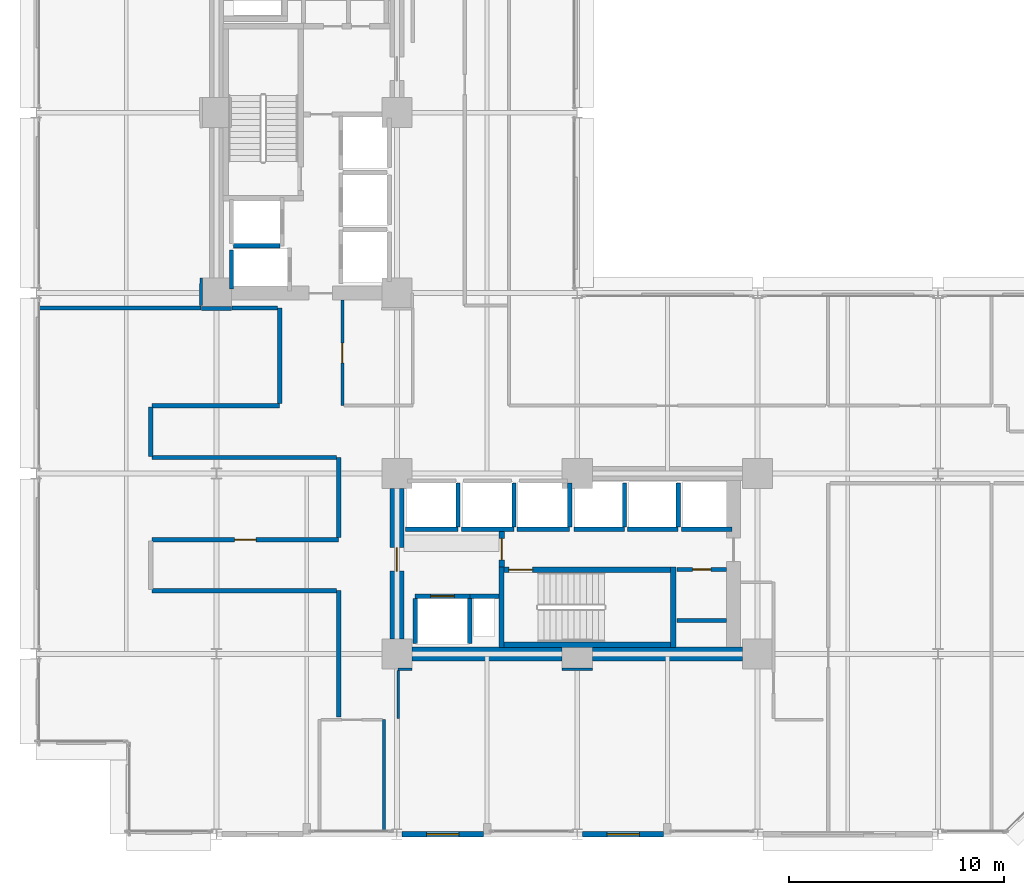
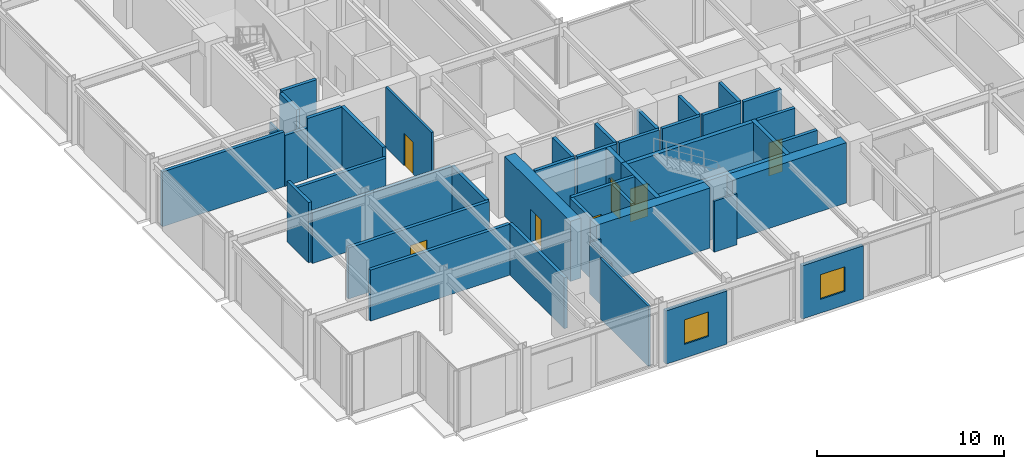
# One storey, part 22 of 27: 46 walls, 7 doors, 2 windows, 9 openings.
"""IFC4 building model written with IfcOpenShell, lengths in metres."""

from ifc_helpers import new_model, si_unit, direction, frame, frame_2d, origin, place, context, subcontext, project, spatial, rectangle, extrude, material, layer, layer_set, type_object, element, fill, save


model = new_model("IFC4")

# Units and contexts
model_context = context("Model", 3, precision=1e-05, world=origin(), true_north=direction((0.0, 1.0)))
body_context = subcontext(model_context, "Body", "Model", "MODEL_VIEW")
ifc_project = project(units=[si_unit("LENGTHUNIT", "METRE"), si_unit("AREAUNIT", "SQUARE_METRE"), si_unit("VOLUMEUNIT", "CUBIC_METRE"), si_unit("PLANEANGLEUNIT", "RADIAN"), si_unit("MASSUNIT", "GRAM", prefix="KILO")], contexts=[model_context])

# Site, building, storey
site_placement = place(None, origin())
site = spatial("IfcSite", under=ifc_project, at=site_placement, CompositionType="ELEMENT")
building_placement = place(site_placement, origin())
building = spatial("IfcBuilding", under=site, at=building_placement, Name="Nerrivon Quay Data Exchange", CompositionType="ELEMENT")
storey_placement = place(building_placement, frame((0.0, 0.0, 66.800048828125)))
storey = spatial("IfcBuildingStorey", under=building, at=storey_placement, Name="L15", CompositionType="ELEMENT", Elevation=66.800048828125)

# Wall, opening, window
ifc_material_1 = material(Name="Architectural terracotta precast concrete N50 (50 MPa)", Category="masonry")
ifc_layer_1 = layer(ifc_material_1, 0.239990234375)
ifc_layer_set_1 = layer_set([ifc_layer_1], Name="Architectural terracotta precast concrete N50 (50 MPa)")
wall_type_1 = type_object("IfcWallType", Name="EW-PREC-240", PredefinedType="STANDARD", material=ifc_layer_set_1)
wall_1_placement = place(storey_placement, frame((29.22509765625, 0.0, 0.0), z_axis=(0.0, 0.0, 1.0), x_axis=(-1.0, 0.0, 0.0)))
wall_1 = element("IfcWall", 1, at=wall_1_placement, inside=storey, type_object=wall_type_1, Name="L15 Podium Precast Spandrel Wall 9", PredefinedType="STANDARD", context=body_context, shape_type="SweptSolid", body=[
    extrude(rectangle(XDim=3.775146484375, YDim=0.239990234375, at=frame_2d((1.8876953125, 0.0))), origin(), (0.0, 0.0, 1.0), 3.470947265625),
])
opening_1_placement = place(wall_1_placement, frame((1.137451171875, 0.0, 0.89990234375)))
opening_1 = element("IfcOpeningElement", 2, at=opening_1_placement, cuts=wall_1, Name="Opening WN4", PredefinedType="OPENING", context=body_context, shape_type="SweptSolid", body=[
    extrude(rectangle(XDim=1.5, YDim=1.60009765625, at=frame_2d((0.75, 0.800048828125))), frame((0.0, 0.1298828125, 0.0), z_axis=(0.0, -1.0, 0.0), x_axis=(1.0, 0.0, 0.0)), (0.0, 0.0, 1.0), 0.260009765625),
])
ifc_material_2 = material(Name="Double-glazed low-E solar control glass", Category="glass")
window_type = type_object("IfcWindowType", Name="WIN-W4-1500x1600", PartitioningType="SINGLE_PANEL", PredefinedType="WINDOW", material=ifc_material_2)
window_1_placement = place(opening_1_placement, origin())
window_1 = element("IfcWindow", 3, at=window_1_placement, inside=storey, type_object=window_type, Name="L15 Solar Facade Window 9", OverallHeight=1.60009765625, OverallWidth=1.5, PartitioningType="SINGLE_PANEL", PredefinedType="WINDOW", context=body_context, shape_type="SweptSolid", body=[
    extrude(rectangle(XDim=1.5, YDim=1.60009765625, at=frame_2d((0.75, 0.800048828125))), frame((0.0, 0.030029296875, 0.0), z_axis=(0.0, -1.0, 0.0), x_axis=(1.0, 0.0, 0.0)), (0.0, 0.0, 1.0), 0.06005859375),
])
fill(opening_1, window_1)

wall_2_placement = place(storey_placement, frame((20.824951171875, 0.0, 0.0), z_axis=(0.0, 0.0, 1.0), x_axis=(-1.0, 0.0, 0.0)))
wall_2 = element("IfcWall", 4, at=wall_2_placement, inside=storey, type_object=wall_type_1, Name="L15 Podium Precast Spandrel Wall 11", PredefinedType="STANDARD", context=body_context, shape_type="SweptSolid", body=[
    extrude(rectangle(XDim=3.77490234375, YDim=0.239990234375, at=frame_2d((1.887451171875, 0.0))), origin(), (0.0, 0.0, 1.0), 3.470947265625),
])
opening_2_placement = place(wall_2_placement, frame((1.137451171875, 0.0, 0.89990234375)))
opening_2 = element("IfcOpeningElement", 5, at=opening_2_placement, cuts=wall_2, Name="Opening WN4", PredefinedType="OPENING", context=body_context, shape_type="SweptSolid", body=[
    extrude(rectangle(XDim=1.5, YDim=1.60009765625, at=frame_2d((0.75, 0.800048828125))), frame((0.0, 0.1298828125, 0.0), z_axis=(0.0, -1.0, 0.0), x_axis=(1.0, 0.0, 0.0)), (0.0, 0.0, 1.0), 0.260009765625),
])
window_2_placement = place(opening_2_placement, origin())
window_2 = element("IfcWindow", 6, at=window_2_placement, inside=storey, type_object=window_type, Name="L15 Solar Facade Window 11", OverallHeight=1.60009765625, OverallWidth=1.5, PartitioningType="SINGLE_PANEL", PredefinedType="WINDOW", context=body_context, shape_type="SweptSolid", body=[
    extrude(rectangle(XDim=1.5, YDim=1.60009765625, at=frame_2d((0.75, 0.800048828125))), frame((0.0, 0.030029296875, 0.0), z_axis=(0.0, -1.0, 0.0), x_axis=(1.0, 0.0, 0.0)), (0.0, 0.0, 1.0), 0.06005859375),
])
fill(opening_2, window_2)

# Walls
ifc_material_3 = material(Name="Concrete N80 (80 MPa)", Category="concrete")
ifc_layer_2 = layer(ifc_material_3, 0.64990234375)
ifc_layer_set_2 = layer_set([ifc_layer_2], Name="Concrete N80 (80 MPa)")
wall_type_2 = type_object("IfcWallType", Name="WALL-CW-850", PredefinedType="SHEAR", material=ifc_layer_set_2)
for number, where, z_axis, x_axis, name in (
    (7, (17.5, 8.39990234375, 0.0), (0.0, 0.0, 1.0), (1.0, 0.0, 0.0), "L15 East Split-Core Shear Wall ECW-S1"),
    (8, (25.89990234375, 8.39990234375, 0.0), (0.0, 0.0, 1.0), (1.0, 0.0, 0.0), "L15 East Split-Core Shear Wall ECW-S2"),
):
    element("IfcWall", number, at=place(storey_placement, frame(where, z_axis=z_axis, x_axis=x_axis)), inside=storey, type_object=wall_type_2, Name=name, PredefinedType="SHEAR", context=body_context, shape_type="SweptSolid", body=[
        extrude(rectangle(XDim=7.0, YDim=0.64990234375, at=frame_2d((3.5, 0.0))), origin(), (0.0, 0.0, 1.0), 3.925048828125),
    ])

# Wall, opening, door
wall_3_placement = place(storey_placement, frame((16.800048828125, 9.10009765625, 0.0), z_axis=(0.0, 0.0, 1.0), x_axis=(0.0, 1.0, 0.0)))
wall_3 = element("IfcWall", 9, at=wall_3_placement, inside=storey, type_object=wall_type_2, Name="L15 East Split-Core Shear Wall ECW-W1", PredefinedType="SHEAR", context=body_context, shape_type="SweptSolid", body=[
    extrude(rectangle(XDim=7.0, YDim=0.64990234375, at=frame_2d((3.5, 0.0))), origin(), (0.0, 0.0, 1.0), 3.925048828125),
])
opening_3_placement = place(wall_3_placement, frame((3.14990234375, 0.0, 0.0)))
opening_3 = element("IfcOpeningElement", 10, at=opening_3_placement, cuts=wall_3, Name="Opening FD-120", PredefinedType="OPENING", context=body_context, shape_type="SweptSolid", body=[
    extrude(rectangle(XDim=1.10009765625, YDim=2.14990234375, at=frame_2d((0.550048828125, 1.074951171875))), frame((0.0, 0.3349609375, 0.0), z_axis=(0.0, -1.0, 0.0), x_axis=(1.0, 0.0, 0.0)), (0.0, 0.0, 1.0), 0.669921875),
])
ifc_material_4 = material(Name="Powder-coated galvanized steel sheet", Category="steel")
door_type_1 = type_object("IfcDoorType", Name="DR-FD120-1100", OperationType="NOTDEFINED", PredefinedType="DOOR", material=ifc_material_4)
door_1_placement = place(opening_3_placement, origin())
door_1 = element("IfcDoor", 11, at=door_1_placement, inside=storey, type_object=door_type_1, Name="L15 East Core Lobby Fire Door", OperationType="SINGLE_SWING_LEFT", OverallHeight=2.14990234375, OverallWidth=1.10009765625, PredefinedType="DOOR", context=body_context, shape_type="SweptSolid", body=[
    extrude(rectangle(XDim=1.10009765625, YDim=2.14990234375, at=frame_2d((0.550048828125, 1.074951171875))), frame((0.0, 0.02490234375, 0.0), z_axis=(0.0, -1.0, 0.0), x_axis=(1.0, 0.0, 0.0)), (0.0, 0.0, 1.0), 0.050048828125),
])
fill(opening_3, door_1)

# Walls
ifc_material_5 = material(Name="Gypsum plasterboard on cold-formed framing", Category="gypsum")
ifc_layer_3 = layer(ifc_material_5, 0.199951171875)
ifc_layer_set_3 = layer_set([ifc_layer_3], Name="Gypsum plasterboard on cold-formed framing")
wall_type_3 = type_object("IfcWallType", Name="WALL-FW-200", PredefinedType="PARTITIONING", material=ifc_layer_set_3)
wall_4_placement = place(storey_placement, frame((20.199951171875, 11.080078125, 0.0), z_axis=(0.0, 0.0, 1.0), x_axis=(1.0, 0.0, 0.0)))
element("IfcWall", 12, at=wall_4_placement, inside=storey, type_object=wall_type_3, Name="L15 East Core MEP Riser Shaft Wall N", PredefinedType="PARTITIONING", context=body_context, shape_type="SweptSolid", body=[
    extrude(rectangle(XDim=1.35009765625, YDim=0.199951171875, at=frame_2d((0.675048828125, 0.0))), origin(), (0.0, 0.0, 1.0), 3.925048828125),
])
wall_5_placement = place(storey_placement, frame((9.199951171875, 27.39990234375, 0.0), z_axis=(0.0, 0.0, 1.0), x_axis=(1.0, 0.0, 0.0)))
element("IfcWall", 13, at=wall_5_placement, inside=storey, type_object=wall_type_3, Name="L15 Lift Shaft Wall FFL-1 SOUTH", PredefinedType="PARTITIONING", context=body_context, shape_type="SweptSolid", body=[
    extrude(rectangle(XDim=2.150146484375, YDim=0.199951171875, at=frame_2d((1.0751953125, 0.0))), origin(), (0.0, 0.0, 1.0), 3.925048828125),
])
wall_6_placement = place(storey_placement, frame((9.10009765625, 25.39990234375, 0.0), z_axis=(0.0, 0.0, 1.0), x_axis=(0.0, 1.0, 0.0)))
element("IfcWall", 14, at=wall_6_placement, inside=storey, type_object=wall_type_3, Name="L15 Lift Shaft Wall SVL-1 WEST", PredefinedType="PARTITIONING", context=body_context, shape_type="SweptSolid", body=[
    extrude(rectangle(XDim=1.800048828125, YDim=0.199951171875, at=frame_2d((0.89990234375, 0.0))), origin(), (0.0, 0.0, 1.0), 3.925048828125),
])

# Wall, opening, door
wall_7_placement = place(storey_placement, frame((17.64990234375, 11.080078125, 0.0), z_axis=(0.0, 0.0, 1.0), x_axis=(1.0, 0.0, 0.0)))
wall_7 = element("IfcWall", 15, at=wall_7_placement, inside=storey, type_object=wall_type_3, Name="L15 Lift Front Wall FFL-2", PredefinedType="PARTITIONING", context=body_context, shape_type="SweptSolid", body=[
    extrude(rectangle(XDim=2.550048828125, YDim=0.199951171875, at=frame_2d((1.27490234375, 0.0))), origin(), (0.0, 0.0, 1.0), 3.925048828125),
])
opening_4_placement = place(wall_7_placement, frame((0.72509765625, 0.0, 0.0)))
opening_4 = element("IfcOpeningElement", 16, at=opening_4_placement, cuts=wall_7, Name="Opening LD-120", PredefinedType="OPENING", context=body_context, shape_type="SweptSolid", body=[
    extrude(rectangle(XDim=1.10009765625, YDim=2.199951171875, at=frame_2d((0.550048828125, 1.10009765625))), frame((0.0, 0.10986328125, 0.0), z_axis=(0.0, -1.0, 0.0), x_axis=(1.0, 0.0, 0.0)), (0.0, 0.0, 1.0), 0.219970703125),
])
door_type_2 = type_object("IfcDoorType", Name="DR-LIFT-LD120", OperationType="DOUBLE_DOOR_SLIDING", PredefinedType="DOOR", material=ifc_material_4)
door_2_placement = place(opening_4_placement, origin())
door_2 = element("IfcDoor", 17, at=door_2_placement, inside=storey, type_object=door_type_2, Name="L15 Lift Landing Sliding Door FFL-2", OperationType="DOUBLE_DOOR_SLIDING", OverallHeight=2.199951171875, OverallWidth=1.10009765625, PredefinedType="DOOR", context=body_context, shape_type="SweptSolid", body=[
    extrude(rectangle(XDim=1.10009765625, YDim=2.199951171875, at=frame_2d((0.550048828125, 1.10009765625))), frame((0.0, 0.02490234375, 0.0), z_axis=(0.0, -1.0, 0.0), x_axis=(1.0, 0.0, 0.0)), (0.0, 0.0, 1.0), 0.050048828125),
])
fill(opening_4, door_2)

# Walls
for number, where, z_axis, x_axis, name in (
    (18, (20.199951171875, 8.8798828125, 0.0), (0.0, 0.0, 1.0), (0.0, 1.0, 0.0), "L15 Lift Shaft Wall FFL-2 EAST"),
    (19, (17.64990234375, 8.8798828125, 0.0), (0.0, 0.0, 1.0), (0.0, 1.0, 0.0), "L15 Lift Shaft Wall FFL-2 WEST"),
):
    element("IfcWall", number, at=place(storey_placement, frame(where, z_axis=z_axis, x_axis=x_axis)), inside=storey, type_object=wall_type_3, Name=name, PredefinedType="PARTITIONING", context=body_context, shape_type="SweptSolid", body=[
        extrude(rectangle(XDim=2.10009765625, YDim=0.199951171875, at=frame_2d((1.050048828125, 0.0))), origin(), (0.0, 0.0, 1.0), 3.925048828125),
    ])
wall_8_placement = place(storey_placement, frame((17.199951171875, 14.199951171875, 0.0), z_axis=(0.0, 0.0, 1.0), x_axis=(1.0, 0.0, 0.0)))
element("IfcWall", 20, at=wall_8_placement, inside=storey, type_object=wall_type_3, Name="L15 Lift Front Wall PL4", PredefinedType="PARTITIONING", context=body_context, shape_type="SweptSolid", body=[
    extrude(rectangle(XDim=2.449951171875, YDim=0.199951171875, at=frame_2d((1.22509765625, 0.0))), origin(), (0.0, 0.0, 1.0), 3.925048828125),
])
wall_9_placement = place(storey_placement, frame((19.64990234375, 14.300048828125, 0.0), z_axis=(0.0, 0.0, 1.0), x_axis=(0.0, 1.0, 0.0)))
element("IfcWall", 21, at=wall_9_placement, inside=storey, type_object=wall_type_3, Name="L15 Lift Shaft Wall PL4 EAST", PredefinedType="PARTITIONING", context=body_context, shape_type="SweptSolid", body=[
    extrude(rectangle(XDim=2.050048828125, YDim=0.199951171875, at=frame_2d((1.02490234375, 0.0))), origin(), (0.0, 0.0, 1.0), 3.925048828125),
])
wall_10_placement = place(storey_placement, frame((19.800048828125, 14.199951171875, 0.0), z_axis=(0.0, 0.0, 1.0), x_axis=(1.0, 0.0, 0.0)))
element("IfcWall", 22, at=wall_10_placement, inside=storey, type_object=wall_type_3, Name="L15 Lift Front Wall PL5", PredefinedType="PARTITIONING", context=body_context, shape_type="SweptSolid", body=[
    extrude(rectangle(XDim=2.449951171875, YDim=0.199951171875, at=frame_2d((1.22509765625, 0.0))), origin(), (0.0, 0.0, 1.0), 3.925048828125),
])
wall_11_placement = place(storey_placement, frame((22.25, 14.300048828125, 0.0), z_axis=(0.0, 0.0, 1.0), x_axis=(0.0, 1.0, 0.0)))
element("IfcWall", 23, at=wall_11_placement, inside=storey, type_object=wall_type_3, Name="L15 Lift Shaft Wall PL5 EAST", PredefinedType="PARTITIONING", context=body_context, shape_type="SweptSolid", body=[
    extrude(rectangle(XDim=2.050048828125, YDim=0.199951171875, at=frame_2d((1.02490234375, 0.0))), origin(), (0.0, 0.0, 1.0), 3.925048828125),
])
wall_12_placement = place(storey_placement, frame((22.39990234375, 14.199951171875, 0.0), z_axis=(0.0, 0.0, 1.0), x_axis=(1.0, 0.0, 0.0)))
element("IfcWall", 24, at=wall_12_placement, inside=storey, type_object=wall_type_3, Name="L15 Lift Front Wall PL6", PredefinedType="PARTITIONING", context=body_context, shape_type="SweptSolid", body=[
    extrude(rectangle(XDim=2.4501953125, YDim=0.199951171875, at=frame_2d((1.22509765625, 0.0))), origin(), (0.0, 0.0, 1.0), 3.925048828125),
])
wall_13_placement = place(storey_placement, frame((24.85009765625, 14.300048828125, 0.0), z_axis=(0.0, 0.0, 1.0), x_axis=(0.0, 1.0, 0.0)))
element("IfcWall", 25, at=wall_13_placement, inside=storey, type_object=wall_type_3, Name="L15 Lift Shaft Wall PL6 EAST", PredefinedType="PARTITIONING", context=body_context, shape_type="SweptSolid", body=[
    extrude(rectangle(XDim=2.050048828125, YDim=0.199951171875, at=frame_2d((1.02490234375, 0.0))), origin(), (0.0, 0.0, 1.0), 3.925048828125),
])
wall_14_placement = place(storey_placement, frame((25.050048828125, 14.199951171875, 0.0), z_axis=(0.0, 0.0, 1.0), x_axis=(1.0, 0.0, 0.0)))
element("IfcWall", 26, at=wall_14_placement, inside=storey, type_object=wall_type_3, Name="L15 Lift Front Wall PL7", PredefinedType="PARTITIONING", context=body_context, shape_type="SweptSolid", body=[
    extrude(rectangle(XDim=2.349853515625, YDim=0.199951171875, at=frame_2d((1.1748046875, 0.0))), origin(), (0.0, 0.0, 1.0), 3.925048828125),
])
wall_15_placement = place(storey_placement, frame((27.39990234375, 14.300048828125, 0.0), z_axis=(0.0, 0.0, 1.0), x_axis=(0.0, 1.0, 0.0)))
element("IfcWall", 27, at=wall_15_placement, inside=storey, type_object=wall_type_3, Name="L15 Lift Shaft Wall PL7 EAST", PredefinedType="PARTITIONING", context=body_context, shape_type="SweptSolid", body=[
    extrude(rectangle(XDim=2.050048828125, YDim=0.199951171875, at=frame_2d((1.02490234375, 0.0))), origin(), (0.0, 0.0, 1.0), 3.925048828125),
])
wall_16_placement = place(storey_placement, frame((27.550048828125, 14.199951171875, 0.0), z_axis=(0.0, 0.0, 1.0), x_axis=(1.0, 0.0, 0.0)))
element("IfcWall", 28, at=wall_16_placement, inside=storey, type_object=wall_type_3, Name="L15 Lift Front Wall PL8", PredefinedType="PARTITIONING", context=body_context, shape_type="SweptSolid", body=[
    extrude(rectangle(XDim=2.349853515625, YDim=0.199951171875, at=frame_2d((1.1748046875, 0.0))), origin(), (0.0, 0.0, 1.0), 3.925048828125),
])
wall_17_placement = place(storey_placement, frame((29.89990234375, 14.300048828125, 0.0), z_axis=(0.0, 0.0, 1.0), x_axis=(0.0, 1.0, 0.0)))
element("IfcWall", 29, at=wall_17_placement, inside=storey, type_object=wall_type_3, Name="L15 Lift Shaft Wall PL8 EAST", PredefinedType="PARTITIONING", context=body_context, shape_type="SweptSolid", body=[
    extrude(rectangle(XDim=2.050048828125, YDim=0.199951171875, at=frame_2d((1.02490234375, 0.0))), origin(), (0.0, 0.0, 1.0), 3.925048828125),
])
wall_18_placement = place(storey_placement, frame((30.050048828125, 14.199951171875, 0.0), z_axis=(0.0, 0.0, 1.0), x_axis=(1.0, 0.0, 0.0)))
element("IfcWall", 30, at=wall_18_placement, inside=storey, type_object=wall_type_3, Name="L15 Lift Front Wall PL9", PredefinedType="PARTITIONING", context=body_context, shape_type="SweptSolid", body=[
    extrude(rectangle(XDim=2.349853515625, YDim=0.199951171875, at=frame_2d((1.1748046875, 0.0))), origin(), (0.0, 0.0, 1.0), 3.925048828125),
])

# Wall, opening, door
wall_19_placement = place(storey_placement, frame((32.14599609375, 12.330078125, 0.0), z_axis=(0.0, 0.0, 1.0), x_axis=(-1.0, 0.0, 0.0)))
wall_19 = element("IfcWall", 31, at=wall_19_placement, inside=storey, type_object=wall_type_3, Name="L15 Partition East Supply Store", PredefinedType="PARTITIONING", context=body_context, shape_type="SweptSolid", body=[
    extrude(rectangle(XDim=2.2958984375, YDim=0.199951171875, at=frame_2d((1.14794921875, 0.0))), origin(), (0.0, 0.0, 1.0), 3.925048828125),
])
opening_5_placement = place(wall_19_placement, frame((0.722900390625, 0.0, 0.0)))
opening_5 = element("IfcOpeningElement", 32, at=opening_5_placement, cuts=wall_19, Name="Opening FD-60S", PredefinedType="OPENING", context=body_context, shape_type="SweptSolid", body=[
    extrude(rectangle(XDim=0.85009765625, YDim=2.14990234375, at=frame_2d((0.425048828125, 1.074951171875))), frame((0.0, 0.10986328125, 0.0), z_axis=(0.0, -1.0, 0.0), x_axis=(1.0, 0.0, 0.0)), (0.0, 0.0, 1.0), 0.219970703125),
])
ifc_material_6 = material(Name="Engineered hardwood timber", Category="wood")
door_type_3 = type_object("IfcDoorType", Name="DR-FD60-850", OperationType="NOTDEFINED", PredefinedType="DOOR", material=ifc_material_6)
door_3_placement = place(opening_5_placement, origin())
door_3 = element("IfcDoor", 33, at=door_3_placement, inside=storey, type_object=door_type_3, Name="L15 Door East Supply Store", OperationType="SINGLE_SWING_RIGHT", OverallHeight=2.14990234375, OverallWidth=0.85009765625, PredefinedType="DOOR", context=body_context, shape_type="SweptSolid", body=[
    extrude(rectangle(XDim=0.85009765625, YDim=2.14990234375, at=frame_2d((0.425048828125, 1.074951171875))), frame((0.0, 0.02490234375, 0.0), z_axis=(0.0, -1.0, 0.0), x_axis=(1.0, 0.0, 0.0)), (0.0, 0.0, 1.0), 0.050048828125),
])
fill(opening_5, door_3)

# Walls
wall_20_placement = place(storey_placement, frame((29.85009765625, 9.949951171875, 0.0), z_axis=(0.0, 0.0, 1.0), x_axis=(1.0, 0.0, 0.0)))
element("IfcWall", 34, at=wall_20_placement, inside=storey, type_object=wall_type_3, Name="L15 Partition East Supply Store", PredefinedType="PARTITIONING", context=body_context, shape_type="SweptSolid", body=[
    extrude(rectangle(XDim=2.2958984375, YDim=0.199951171875, at=frame_2d((1.14794921875, 0.0))), origin(), (0.0, 0.0, 1.0), 3.925048828125),
])
wall_21_placement = place(storey_placement, frame((5.39990234375, 19.9599609375, 0.0), z_axis=(0.0, 0.0, 1.0), x_axis=(1.0, 0.0, 0.0)))
element("IfcWall", 35, at=wall_21_placement, inside=storey, type_object=wall_type_3, Name="L15 Partition Colocation Data Workspace 1", PredefinedType="PARTITIONING", context=body_context, shape_type="SweptSolid", body=[
    extrude(rectangle(XDim=5.940185546875, YDim=0.199951171875, at=frame_2d((2.97021484375, 0.0))), origin(), (0.0, 0.0, 1.0), 3.322998046875),
])
wall_22_placement = place(storey_placement, frame((11.340087890625, 20.06396484375, 0.0), z_axis=(0.0, 0.0, 1.0), x_axis=(0.0, 1.0, 0.0)))
element("IfcWall", 36, at=wall_22_placement, inside=storey, type_object=wall_type_3, Name="L15 Partition Colocation Data Workspace 1", PredefinedType="PARTITIONING", context=body_context, shape_type="SweptSolid", body=[
    extrude(rectangle(XDim=4.43994140625, YDim=0.199951171875, at=frame_2d((2.219970703125, 0.0))), origin(), (0.0, 0.0, 1.0), 3.925048828125),
])
wall_23_placement = place(storey_placement, frame((11.236083984375, 24.50390625, 0.0), z_axis=(0.0, 0.0, 1.0), x_axis=(-1.0, 0.0, 0.0)))
element("IfcWall", 37, at=wall_23_placement, inside=storey, type_object=wall_type_3, Name="L15 Partition Colocation Data Workspace 1", PredefinedType="PARTITIONING", context=body_context, shape_type="SweptSolid", body=[
    extrude(rectangle(XDim=2.115966796875, YDim=0.199951171875, at=frame_2d((1.05810546875, 0.0))), origin(), (0.0, 0.0, 1.0), 3.925048828125),
])
wall_24_placement = place(storey_placement, frame((9.10009765625, 24.47998046875, 0.0), z_axis=(0.0, 0.0, 1.0), x_axis=(-1.0, 0.0, 0.0)))
element("IfcWall", 38, at=wall_24_placement, inside=storey, type_object=wall_type_3, Name="L15 Partition Colocation Data Workspace 1", PredefinedType="PARTITIONING", context=body_context, shape_type="SweptSolid", body=[
    extrude(rectangle(XDim=1.400146484375, YDim=0.199951171875, at=frame_2d((0.7001953125, 0.0))), origin(), (0.0, 0.0, 1.0), 3.322998046875),
])
wall_25_placement = place(storey_placement, frame((7.679931640625, 24.50390625, 0.0), z_axis=(0.0, 0.0, 1.0), x_axis=(-1.0, 0.0, 0.0)))
element("IfcWall", 39, at=wall_25_placement, inside=storey, type_object=wall_type_3, Name="L15 Partition Colocation Data Workspace 1", PredefinedType="PARTITIONING", context=body_context, shape_type="SweptSolid", body=[
    extrude(rectangle(XDim=7.510986328125, YDim=0.199951171875, at=frame_2d((3.75537109375, 0.0))), origin(), (0.0, 0.0, 1.0), 3.56591796875),
])
wall_26_placement = place(storey_placement, frame((14.090087890625, 5.4599609375, 0.0), z_axis=(0.0, 0.0, 1.0), x_axis=(0.0, 1.0, 0.0)))
element("IfcWall", 40, at=wall_26_placement, inside=storey, type_object=wall_type_3, Name="L15 Partition Colocation Data Workspace 1", PredefinedType="PARTITIONING", context=body_context, shape_type="SweptSolid", body=[
    extrude(rectangle(XDim=5.880126953125, YDim=0.199951171875, at=frame_2d((2.93994140625, 0.0))), origin(), (0.0, 0.0, 1.0), 3.31298828125),
])
wall_27_placement = place(storey_placement, frame((13.986083984375, 11.340087890625, 0.0), z_axis=(0.0, 0.0, 1.0), x_axis=(-1.0, 0.0, 0.0)))
element("IfcWall", 41, at=wall_27_placement, inside=storey, type_object=wall_type_3, Name="L15 Partition Colocation Data Workspace 1", PredefinedType="PARTITIONING", context=body_context, shape_type="SweptSolid", body=[
    extrude(rectangle(XDim=8.586181640625, YDim=0.199951171875, at=frame_2d((4.29296875, 0.0))), origin(), (0.0, 0.0, 1.0), 3.322998046875),
])

# Wall, opening, door
wall_28_placement = place(storey_placement, frame((5.39990234375, 13.7099609375, 0.0), z_axis=(0.0, 0.0, 1.0), x_axis=(1.0, 0.0, 0.0)))
wall_28 = element("IfcWall", 42, at=wall_28_placement, inside=storey, type_object=wall_type_3, Name="L15 Partition Colocation Data Workspace 1", PredefinedType="PARTITIONING", context=body_context, shape_type="SweptSolid", body=[
    extrude(rectangle(XDim=8.690185546875, YDim=0.199951171875, at=frame_2d((4.34521484375, 0.0))), origin(), (0.0, 0.0, 1.0), 3.322998046875),
])
opening_6_placement = place(wall_28_placement, frame((3.844970703125, 0.0, 0.0)))
opening_6 = element("IfcOpeningElement", 43, at=opening_6_placement, cuts=wall_28, Name="Opening FD-60", PredefinedType="OPENING", context=body_context, shape_type="SweptSolid", body=[
    extrude(rectangle(XDim=1.0, YDim=2.14990234375, at=frame_2d((0.5, 1.074951171875))), frame((0.0, 0.10986328125, 0.0), z_axis=(0.0, -1.0, 0.0), x_axis=(1.0, 0.0, 0.0)), (0.0, 0.0, 1.0), 0.219970703125),
])
door_type_4 = type_object("IfcDoorType", Name="DR-FD60-1000", OperationType="NOTDEFINED", PredefinedType="DOOR", material=ifc_material_6)
door_4_placement = place(opening_6_placement, origin())
door_4 = element("IfcDoor", 44, at=door_4_placement, inside=storey, type_object=door_type_4, Name="L15 Door Colocation Data Workspace 1", OperationType="SINGLE_SWING_RIGHT", OverallHeight=2.14990234375, OverallWidth=1.0, PredefinedType="DOOR", context=body_context, shape_type="SweptSolid", body=[
    extrude(rectangle(XDim=1.0, YDim=2.14990234375, at=frame_2d((0.5, 1.074951171875))), frame((0.0, 0.02490234375, 0.0), z_axis=(0.0, -1.0, 0.0), x_axis=(1.0, 0.0, 0.0)), (0.0, 0.0, 1.0), 0.050048828125),
])
fill(opening_6, door_4)

# Walls
wall_29_placement = place(storey_placement, frame((14.090087890625, 13.81396484375, 0.0), z_axis=(0.0, 0.0, 1.0), x_axis=(0.0, 1.0, 0.0)))
element("IfcWall", 45, at=wall_29_placement, inside=storey, type_object=wall_type_3, Name="L15 Partition Colocation Data Workspace 1", PredefinedType="PARTITIONING", context=body_context, shape_type="SweptSolid", body=[
    extrude(rectangle(XDim=3.72607421875, YDim=0.199951171875, at=frame_2d((1.863037109375, 0.0))), origin(), (0.0, 0.0, 1.0), 3.31298828125),
])
wall_30_placement = place(storey_placement, frame((13.986083984375, 17.5400390625, 0.0), z_axis=(0.0, 0.0, 1.0), x_axis=(-1.0, 0.0, 0.0)))
element("IfcWall", 46, at=wall_30_placement, inside=storey, type_object=wall_type_3, Name="L15 Partition Colocation Data Workspace 1", PredefinedType="PARTITIONING", context=body_context, shape_type="SweptSolid", body=[
    extrude(rectangle(XDim=8.586181640625, YDim=0.199951171875, at=frame_2d((4.29296875, 0.0))), origin(), (0.0, 0.0, 1.0), 3.322998046875),
])
wall_31_placement = place(storey_placement, frame((5.340087890625, 17.60009765625, 0.0), z_axis=(0.0, 0.0, 1.0), x_axis=(0.000105876124, 0.999999994395, 0.0)))
element("IfcWall", 47, at=wall_31_placement, inside=storey, type_object=wall_type_3, Name="L15 Partition Colocation Data Workspace 1", PredefinedType="PARTITIONING", context=body_context, shape_type="SweptSolid", body=[
    extrude(rectangle(XDim=2.305908203125, YDim=0.199951171875, at=frame_2d((1.15283203125, 0.0))), origin(), (0.0, 0.0, 1.0), 3.925048828125),
])
ifc_layer_4 = layer(ifc_material_5, 0.1201171875)
ifc_layer_set_4 = layer_set([ifc_layer_4], Name="Gypsum plasterboard on cold-formed framing")
wall_type_4 = type_object("IfcWallType", Name="WALL-PT-120", PredefinedType="PARTITIONING", material=ifc_layer_set_4)
wall_32_placement = place(storey_placement, frame((25.90576171875, 7.680908203125, 0.0), z_axis=(0.0, 0.0, 1.0), x_axis=(-0.999999758706, -0.000694685487, 0.0)))
element("IfcWall", 48, at=wall_32_placement, inside=storey, type_object=wall_type_4, Name="L15 Partition Technical Library", PredefinedType="PARTITIONING", context=body_context, shape_type="SweptSolid", body=[
    extrude(rectangle(XDim=1.40576171875, YDim=0.1201171875, at=frame_2d((0.702880859375, 0.0))), origin(), (0.0, 0.0, 1.0), 3.322998046875),
])
wall_33_placement = place(storey_placement, frame((17.5, 7.679931640625, 0.0), z_axis=(0.0, 0.0, 1.0), x_axis=(-1.0, 0.0, 0.0)))
element("IfcWall", 49, at=wall_33_placement, inside=storey, type_object=wall_type_4, Name="L15 Partition Technical Library", PredefinedType="PARTITIONING", context=body_context, shape_type="SweptSolid", body=[
    extrude(rectangle(XDim=0.639892578125, YDim=0.1201171875, at=frame_2d((0.31982421875, 0.0))), origin(), (0.0, 0.0, 1.0), 3.322998046875),
])
wall_34_placement = place(storey_placement, frame((16.860107421875, 7.615966796875, 0.0), z_axis=(0.0, 0.0, 1.0), x_axis=(0.0, -1.0, 0.0)))
element("IfcWall", 50, at=wall_34_placement, inside=storey, type_object=wall_type_4, Name="L15 Partition Technical Library", PredefinedType="PARTITIONING", context=body_context, shape_type="SweptSolid", body=[
    extrude(rectangle(XDim=2.216064453125, YDim=0.1201171875, at=frame_2d((1.10791015625, 0.0))), origin(), (0.0, 0.0, 1.0), 3.322998046875),
])
wall_35_placement = place(storey_placement, frame((7.679931640625, 24.623779296875, 0.0), z_axis=(0.0, 0.0, 1.0), x_axis=(0.000761759444, 0.999999709861, 0.0)))
element("IfcWall", 51, at=wall_35_placement, inside=storey, type_object=wall_type_4, Name="L15 Partition Optical Engineering Studios Workspace", PredefinedType="PARTITIONING", context=body_context, shape_type="SweptSolid", body=[
    extrude(rectangle(XDim=1.281982421875, YDim=0.1201171875, at=frame_2d((0.64111328125, 0.0))), origin(), (0.0, 0.0, 1.0), 3.31298828125),
])
ifc_layer_5 = layer(ifc_material_5, 0.135009765625)
ifc_layer_set_5 = layer_set([ifc_layer_5], Name="Gypsum plasterboard on cold-formed framing")
wall_type_5 = type_object("IfcWallType", Name="WALL-PT-135", PredefinedType="PARTITIONING", material=ifc_layer_set_5)
wall_36_placement = place(storey_placement, frame((16.199951171875, 0.1689453125, 0.0), z_axis=(0.0, 0.0, 1.0), x_axis=(0.0, 1.0, 0.0)))
element("IfcWall", 52, at=wall_36_placement, inside=storey, type_object=wall_type_5, Name="L15 Partition Accessible Toilet", PredefinedType="PARTITIONING", context=body_context, shape_type="SweptSolid", body=[
    extrude(rectangle(XDim=5.171142578125, YDim=0.135009765625, at=frame_2d((2.58544921875, 0.0))), origin(), (0.0, 0.0, 1.0), 3.925048828125),
])

# Wall, opening, door
wall_37_placement = place(storey_placement, frame((14.260009765625, 24.87109375, 0.0), z_axis=(0.0, 0.0, 1.0), x_axis=(0.0, -1.0, 0.0)))
wall_37 = element("IfcWall", 53, at=wall_37_placement, inside=storey, type_object=wall_type_5, Name="L15 Partition Public Washrooms", PredefinedType="PARTITIONING", context=body_context, shape_type="SweptSolid", body=[
    extrude(rectangle(XDim=4.9111328125, YDim=0.135009765625, at=frame_2d((2.45556640625, 0.0))), origin(), (0.0, 0.0, 1.0), 3.925048828125),
])
opening_7_placement = place(wall_37_placement, frame((1.99560546875, 0.0, 0.0)))
opening_7 = element("IfcOpeningElement", 54, at=opening_7_placement, cuts=wall_37, Name="Opening D-WC", PredefinedType="OPENING", context=body_context, shape_type="SweptSolid", body=[
    extrude(rectangle(XDim=0.919921875, YDim=2.10009765625, at=frame_2d((0.4599609375, 1.050048828125))), frame((0.0, 0.077392578125, 0.0), z_axis=(0.0, -1.0, 0.0), x_axis=(1.0, 0.0, 0.0)), (0.0, 0.0, 1.0), 0.155029296875),
])
door_type_5 = type_object("IfcDoorType", Name="DR-WC-920", OperationType="NOTDEFINED", PredefinedType="DOOR", material=ifc_material_6)
door_5_placement = place(opening_7_placement, origin())
door_5 = element("IfcDoor", 55, at=door_5_placement, inside=storey, type_object=door_type_5, Name="L15 Door Public Washrooms", OperationType="SINGLE_SWING_RIGHT", OverallHeight=2.10009765625, OverallWidth=0.919921875, PredefinedType="DOOR", context=body_context, shape_type="SweptSolid", body=[
    extrude(rectangle(XDim=0.919921875, YDim=2.10009765625, at=frame_2d((0.4599609375, 1.050048828125))), frame((0.0, 0.02490234375, 0.0), z_axis=(0.0, -1.0, 0.0), x_axis=(1.0, 0.0, 0.0)), (0.0, 0.0, 1.0), 0.050048828125),
])
fill(opening_7, door_5)

# Walls
ifc_material_7 = material(Name="Concrete N50 (50 MPa)", Category="concrete")
ifc_layer_6 = layer(ifc_material_7, 0.25)
ifc_layer_set_6 = layer_set([ifc_layer_6], Name="Concrete N50 (50 MPa)")
wall_type_6 = type_object("IfcWallType", Name="WALL-SW-250", PredefinedType="SHEAR", material=ifc_layer_set_6)
for number, where, z_axis, x_axis, name in (
    (56, (21.675048828125, 8.699951171875, 0.0), (0.0, 0.0, 1.0), (0.0, 1.0, 0.0), "L15 ST02 Structural Stair Core Wall NEAR"),
    (57, (29.675048828125, 8.699951171875, 0.0), (0.0, 0.0, 1.0), (0.0, 1.0, 0.0), "L15 ST02 Structural Stair Core Wall FAR"),
):
    element("IfcWall", number, at=place(storey_placement, frame(where, z_axis=z_axis, x_axis=x_axis)), inside=storey, type_object=wall_type_6, Name=name, PredefinedType="SHEAR", context=body_context, shape_type="SweptSolid", body=[
        extrude(rectangle(XDim=3.75, YDim=0.25, at=frame_2d((1.875, 0.0))), origin(), (0.0, 0.0, 1.0), 3.925048828125),
    ])
wall_38_placement = place(storey_placement, frame((21.800048828125, 8.824951171875, 0.0), z_axis=(0.0, 0.0, 1.0), x_axis=(1.0, 0.0, 0.0)))
element("IfcWall", 58, at=wall_38_placement, inside=storey, type_object=wall_type_6, Name="L15 ST02 Structural Stair Core Wall LEFT", PredefinedType="SHEAR", context=body_context, shape_type="SweptSolid", body=[
    extrude(rectangle(XDim=7.75, YDim=0.25, at=frame_2d((3.875, 0.0))), origin(), (0.0, 0.0, 1.0), 3.925048828125),
])

# Wall, opening, door
wall_39_placement = place(storey_placement, frame((21.800048828125, 12.324951171875, 0.0), z_axis=(0.0, 0.0, 1.0), x_axis=(1.0, 0.0, 0.0)))
wall_39 = element("IfcWall", 59, at=wall_39_placement, inside=storey, type_object=wall_type_6, Name="L15 ST02 Structural Stair Core Wall RIGHT", PredefinedType="SHEAR", context=body_context, shape_type="SweptSolid", body=[
    extrude(rectangle(XDim=7.75, YDim=0.25, at=frame_2d((3.875, 0.0))), origin(), (0.0, 0.0, 1.0), 3.925048828125),
])
opening_8_placement = place(wall_39_placement, frame((0.219970703125, 0.0, 0.0)))
opening_8 = element("IfcOpeningElement", 60, at=opening_8_placement, cuts=wall_39, Name="Opening FD-120", PredefinedType="OPENING", context=body_context, shape_type="SweptSolid", body=[
    extrude(rectangle(XDim=1.10009765625, YDim=2.14990234375, at=frame_2d((0.550048828125, 1.074951171875))), frame((0.0, 0.135009765625, 0.0), z_axis=(0.0, -1.0, 0.0), x_axis=(1.0, 0.0, 0.0)), (0.0, 0.0, 1.0), 0.27001953125),
])
door_6_placement = place(opening_8_placement, origin())
door_6 = element("IfcDoor", 61, at=door_6_placement, inside=storey, type_object=door_type_1, Name="L15 Protected Stair Door ST02", OperationType="SINGLE_SWING_LEFT", OverallHeight=2.14990234375, OverallWidth=1.10009765625, PredefinedType="DOOR", context=body_context, shape_type="SweptSolid", body=[
    extrude(rectangle(XDim=1.10009765625, YDim=2.14990234375, at=frame_2d((0.550048828125, 1.074951171875))), frame((0.0, 0.02490234375, 0.0), z_axis=(0.0, -1.0, 0.0), x_axis=(1.0, 0.0, 0.0)), (0.0, 0.0, 1.0), 0.050048828125),
])
fill(opening_8, door_6)

wall_40_placement = place(storey_placement, frame((21.679931640625, 12.449951171875, 0.0), z_axis=(0.0, 0.0, 1.0), x_axis=(0.0, 1.0, 0.0)))
wall_40 = element("IfcWall", 62, at=wall_40_placement, inside=storey, type_object=wall_type_6, Name="L15 East Firefighting Lobby Wall", PredefinedType="SHEAR", context=body_context, shape_type="SweptSolid", body=[
    extrude(rectangle(XDim=1.650146484375, YDim=0.25, at=frame_2d((0.8251953125, 0.0))), origin(), (0.0, 0.0, 1.0), 3.925048828125),
])
opening_9_placement = place(wall_40_placement, frame((0.324951171875, 0.0, 0.0)))
opening_9 = element("IfcOpeningElement", 63, at=opening_9_placement, cuts=wall_40, Name="Opening FD-60", PredefinedType="OPENING", context=body_context, shape_type="SweptSolid", body=[
    extrude(rectangle(XDim=1.0, YDim=2.14990234375, at=frame_2d((0.5, 1.074951171875))), frame((0.0, 0.135009765625, 0.0), z_axis=(0.0, -1.0, 0.0), x_axis=(1.0, 0.0, 0.0)), (0.0, 0.0, 1.0), 0.27001953125),
])
door_7_placement = place(opening_9_placement, origin())
door_7 = element("IfcDoor", 64, at=door_7_placement, inside=storey, type_object=door_type_4, Name="L15 East Firefighting Lobby Fire Door", OperationType="SINGLE_SWING_LEFT", OverallHeight=2.14990234375, OverallWidth=1.0, PredefinedType="DOOR", context=body_context, shape_type="SweptSolid", body=[
    extrude(rectangle(XDim=1.0, YDim=2.14990234375, at=frame_2d((0.5, 1.074951171875))), frame((0.0, 0.02490234375, 0.0), z_axis=(0.0, -1.0, 0.0), x_axis=(1.0, 0.0, 0.0)), (0.0, 0.0, 1.0), 0.050048828125),
])
fill(opening_9, door_7)

save(model, "model.ifc")
